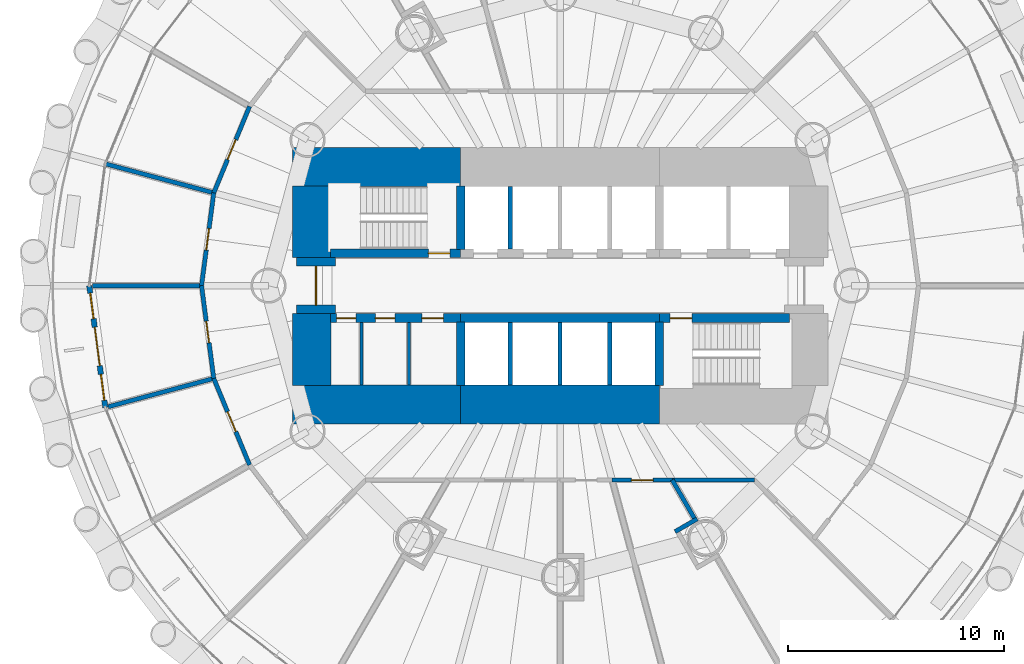
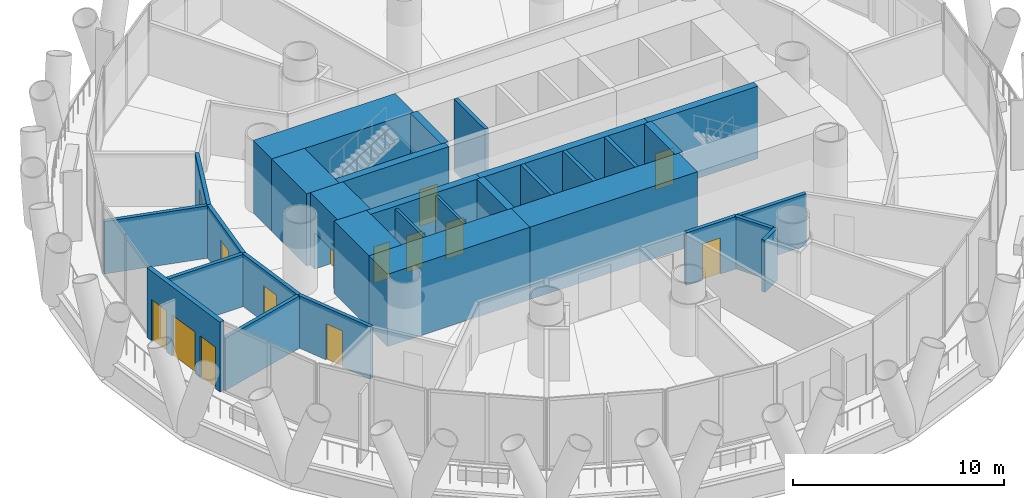
# One storey, part 10 of 16: 31 walls, 12 doors, 2 windows, 14 openings.
"""IFC4 building model written with IfcOpenShell, lengths in metres."""

from ifc_helpers import new_model, si_unit, direction, frame, frame_2d, origin, place, context, subcontext, project, spatial, rectangle, extrude, material, layer, layer_set, type_object, element, fill, save


model = new_model("IFC4")

# Units and contexts
model_context = context("Model", 3, precision=1e-05, world=origin(), true_north=direction((0.0, 1.0)))
body_context = subcontext(model_context, "Body", "Model", "MODEL_VIEW")
ifc_project = project(units=[si_unit("LENGTHUNIT", "METRE"), si_unit("AREAUNIT", "SQUARE_METRE"), si_unit("VOLUMEUNIT", "CUBIC_METRE"), si_unit("PLANEANGLEUNIT", "RADIAN"), si_unit("MASSUNIT", "GRAM", prefix="KILO")], contexts=[model_context])

# Site, building, storey
site_placement = place(None, origin())
site = spatial("IfcSite", under=ifc_project, at=site_placement, CompositionType="ELEMENT")
building_placement = place(site_placement, origin())
building = spatial("IfcBuilding", under=site, at=building_placement, Name="Qaws Media Tower", CompositionType="ELEMENT")
storey_placement = place(building_placement, frame((0.0, 0.0, 42.800048828125)))
storey = spatial("IfcBuildingStorey", under=building, at=storey_placement, Name="L08", CompositionType="ELEMENT", Elevation=42.800048828125)

# Wall, openings, door, windows
ifc_material_1 = material(Name="Precast concrete, exposed finish", Category="concrete")
ifc_layer_1 = layer(ifc_material_1, 0.25)
ifc_layer_set_1 = layer_set([ifc_layer_1], Name="Balcony door wall 250")
wall_type_1 = type_object("IfcWallType", Name="Balcony door wall 250", PredefinedType="SOLIDWALL", material=ifc_layer_set_1)
wall_1_placement = place(storey_placement, frame((38.199951171875, 50.0, 0.0), z_axis=(0.0, 0.0, 1.0), x_axis=(0.130542179395, -0.991442756491, 0.0)))
wall_1 = element("IfcWall", 1, at=wall_1_placement, inside=storey, type_object=wall_type_1, Name="W121 EW1 balcony door wall L08-13", PredefinedType="SOLIDWALL", context=body_context, shape_type="SweptSolid", body=[
    extrude(rectangle(XDim=5.69091796875, YDim=0.25, at=frame_2d((2.845458984375, 0.0))), origin(), (0.0, 0.0, 1.0), 4.0400390625),
])
opening_1_placement = place(wall_1_placement, frame((1.945556640625, 0.0, 0.0)))
opening_1 = element("IfcOpeningElement", 2, at=opening_1_placement, cuts=wall_1, Name="Opening D7", PredefinedType="OPENING", context=body_context, shape_type="SweptSolid", body=[
    extrude(rectangle(XDim=1.800048828125, YDim=2.39990234375, at=frame_2d((0.89990234375, 1.199951171875))), frame((0.0, 0.135009765625, 0.0), z_axis=(0.0, -1.0, 0.0), x_axis=(1.0, 0.0, 0.0)), (0.0, 0.0, 1.0), 0.27001953125),
])
opening_2_placement = place(wall_1_placement, frame((0.345458984375, 0.0, 0.0)))
opening_2 = element("IfcOpeningElement", 3, at=opening_2_placement, cuts=wall_1, Name="Opening W1", PredefinedType="OPENING", context=body_context, shape_type="SweptSolid", body=[
    extrude(rectangle(XDim=1.199951171875, YDim=2.39990234375, at=frame_2d((0.60009765625, 1.199951171875))), frame((0.0, 0.135009765625, 0.0), z_axis=(0.0, -1.0, 0.0), x_axis=(1.0, 0.0, 0.0)), (0.0, 0.0, 1.0), 0.27001953125),
])
opening_3_placement = place(wall_1_placement, frame((4.1455078125, 0.0, 0.0)))
opening_3 = element("IfcOpeningElement", 4, at=opening_3_placement, cuts=wall_1, Name="Opening W1", PredefinedType="OPENING", context=body_context, shape_type="SweptSolid", body=[
    extrude(rectangle(XDim=1.199951171875, YDim=2.39990234375, at=frame_2d((0.60009765625, 1.199951171875))), frame((0.0, 0.135009765625, 0.0), z_axis=(0.0, -1.0, 0.0), x_axis=(1.0, 0.0, 0.0)), (0.0, 0.0, 1.0), 0.27001953125),
])
ifc_material_2 = material(Name="Aluminium and clear glass", Category="aluminium")
door_type_1 = type_object("IfcDoorType", Name="Balcony door pair 1800", OperationType="DOUBLE_DOOR_SLIDING", PredefinedType="DOOR", material=ifc_material_2)
door_1_placement = place(opening_1_placement, origin())
door_1 = element("IfcDoor", 5, at=door_1_placement, inside=storey, type_object=door_type_1, Name="D7 balcony door L08-13 in wall W121", OperationType="DOUBLE_DOOR_SLIDING", OverallHeight=2.39990234375, OverallWidth=1.800048828125, PredefinedType="DOOR", context=body_context, shape_type="SweptSolid", body=[
    extrude(rectangle(XDim=1.800048828125, YDim=2.39990234375, at=frame_2d((0.89990234375, 1.199951171875))), frame((0.0, 0.02490234375, 0.0), z_axis=(0.0, -1.0, 0.0), x_axis=(1.0, 0.0, 0.0)), (0.0, 0.0, 1.0), 0.050048828125),
])
fill(opening_1, door_1)
ifc_material_3 = material(Name="Aluminium and clear glass", Category="aluminium")
window_type = type_object("IfcWindowType", Name="Balcony side window 1200", PartitioningType="SINGLE_PANEL", PredefinedType="WINDOW", material=ifc_material_3)
window_1_placement = place(opening_2_placement, origin())
window_1 = element("IfcWindow", 6, at=window_1_placement, inside=storey, type_object=window_type, Name="W1 balcony side light L08-13L", OverallHeight=2.39990234375, OverallWidth=1.199951171875, PartitioningType="SINGLE_PANEL", PredefinedType="WINDOW", context=body_context, shape_type="SweptSolid", body=[
    extrude(rectangle(XDim=1.199951171875, YDim=2.39990234375, at=frame_2d((0.60009765625, 1.199951171875))), frame((0.0, 0.030029296875, 0.0), z_axis=(0.0, -1.0, 0.0), x_axis=(1.0, 0.0, 0.0)), (0.0, 0.0, 1.0), 0.06005859375),
])
fill(opening_2, window_1)
window_2_placement = place(opening_3_placement, origin())
window_2 = element("IfcWindow", 7, at=window_2_placement, inside=storey, type_object=window_type, Name="W1 balcony side light L08-13R", OverallHeight=2.39990234375, OverallWidth=1.199951171875, PartitioningType="SINGLE_PANEL", PredefinedType="WINDOW", context=body_context, shape_type="SweptSolid", body=[
    extrude(rectangle(XDim=1.199951171875, YDim=2.39990234375, at=frame_2d((0.60009765625, 1.199951171875))), frame((0.0, 0.030029296875, 0.0), z_axis=(0.0, -1.0, 0.0), x_axis=(1.0, 0.0, 0.0)), (0.0, 0.0, 1.0), 0.06005859375),
])
fill(opening_3, window_2)

# Wall, opening, door
ifc_material_4 = material(Name="Concrete C60/75", Category="concrete")
ifc_layer_2 = layer(ifc_material_4, 0.39990234375)
ifc_layer_set_2 = layer_set([ifc_layer_2], Name="Core inner wall 400")
wall_type_2 = type_object("IfcWallType", Name="Core inner wall 400", PredefinedType="SHEAR", material=ifc_layer_set_2)
wall_2_placement = place(storey_placement, frame((49.3798828125, 51.5, 0.0), z_axis=(0.0, 0.0, 1.0), x_axis=(1.0, 0.0, 0.0)))
wall_2 = element("IfcWall", 8, at=wall_2_placement, inside=storey, type_object=wall_type_2, Name="W311 SW4 core wall SPNW L08", PredefinedType="SHEAR", context=body_context, shape_type="SweptSolid", body=[
    extrude(rectangle(XDim=6.02001953125, YDim=0.39990234375, at=frame_2d((3.010009765625, 0.0))), origin(), (0.0, 0.0, 1.0), 4.199951171875),
])
opening_4_placement = place(wall_2_placement, frame((4.52001953125, 0.0, 0.0)))
opening_4 = element("IfcOpeningElement", 9, at=opening_4_placement, cuts=wall_2, Name="Opening D1", PredefinedType="OPENING", context=body_context, shape_type="SweptSolid", body=[
    extrude(rectangle(XDim=1.0, YDim=2.10009765625, at=frame_2d((0.5, 1.050048828125))), frame((0.0, 0.2099609375, 0.0), z_axis=(0.0, -1.0, 0.0), x_axis=(1.0, 0.0, 0.0)), (0.0, 0.0, 1.0), 0.419921875),
])
ifc_material_5 = material(Name="Steel, fire rated", Category="steel")
door_type_2 = type_object("IfcDoorType", Name="Stair door 1000 FD120", OperationType="SINGLE_SWING_LEFT", PredefinedType="DOOR", material=ifc_material_5)
door_2_placement = place(opening_4_placement, origin())
door_2 = element("IfcDoor", 10, at=door_2_placement, inside=storey, type_object=door_type_2, Name="D1 stair S1 door L08 in wall W311", OperationType="SINGLE_SWING_LEFT", OverallHeight=2.10009765625, OverallWidth=1.0, PredefinedType="DOOR", context=body_context, shape_type="SweptSolid", body=[
    extrude(rectangle(XDim=1.0, YDim=2.10009765625, at=frame_2d((0.5, 1.050048828125))), frame((0.0, 0.02490234375, 0.0), z_axis=(0.0, -1.0, 0.0), x_axis=(1.0, 0.0, 0.0)), (0.0, 0.0, 1.0), 0.050048828125),
])
fill(opening_4, door_2)

# Wall, openings, doors
wall_3_placement = place(storey_placement, frame((49.3798828125, 48.5, 0.0), z_axis=(0.0, 0.0, 1.0), x_axis=(1.0, 0.0, 0.0)))
wall_3 = element("IfcWall", 11, at=wall_3_placement, inside=storey, type_object=wall_type_2, Name="W310 SW4 core wall SPSW L08", PredefinedType="SHEAR", context=body_context, shape_type="SweptSolid", body=[
    extrude(rectangle(XDim=6.02001953125, YDim=0.39990234375, at=frame_2d((3.010009765625, 0.0))), origin(), (0.0, 0.0, 1.0), 4.199951171875),
])
opening_5_placement = place(wall_3_placement, frame((0.27001953125, 0.0, 0.0)))
opening_5 = element("IfcOpeningElement", 12, at=opening_5_placement, cuts=wall_3, Name="Opening D25", PredefinedType="OPENING", context=body_context, shape_type="SweptSolid", body=[
    extrude(rectangle(XDim=0.89990234375, YDim=2.10009765625, at=frame_2d((0.449951171875, 1.050048828125))), frame((0.0, 0.2099609375, 0.0), z_axis=(0.0, -1.0, 0.0), x_axis=(1.0, 0.0, 0.0)), (0.0, 0.0, 1.0), 0.419921875),
])
opening_6_placement = place(wall_3_placement, frame((2.070068359375, 0.0, 0.0)))
opening_6 = element("IfcOpeningElement", 13, at=opening_6_placement, cuts=wall_3, Name="Opening D25", PredefinedType="OPENING", context=body_context, shape_type="SweptSolid", body=[
    extrude(rectangle(XDim=0.89990234375, YDim=2.10009765625, at=frame_2d((0.449951171875, 1.050048828125))), frame((0.0, 0.2099609375, 0.0), z_axis=(0.0, -1.0, 0.0), x_axis=(1.0, 0.0, 0.0)), (0.0, 0.0, 1.0), 0.419921875),
])
opening_7_placement = place(wall_3_placement, frame((4.219970703125, 0.0, 0.0)))
opening_7 = element("IfcOpeningElement", 14, at=opening_7_placement, cuts=wall_3, Name="Opening D4", PredefinedType="OPENING", context=body_context, shape_type="SweptSolid", body=[
    extrude(rectangle(XDim=1.0, YDim=2.10009765625, at=frame_2d((0.5, 1.050048828125))), frame((0.0, 0.2099609375, 0.0), z_axis=(0.0, -1.0, 0.0), x_axis=(1.0, 0.0, 0.0)), (0.0, 0.0, 1.0), 0.419921875),
])
ifc_material_6 = material(Name="Timber veneered", Category="wood")
door_type_3 = type_object("IfcDoorType", Name="Accessible WC door 1000", OperationType="SLIDING_TO_LEFT", PredefinedType="DOOR", material=ifc_material_6)
door_3_placement = place(opening_7_placement, origin())
door_3 = element("IfcDoor", 15, at=door_3_placement, inside=storey, type_object=door_type_3, Name="D4 toilet door 3 L08 in wall W310", OperationType="SLIDING_TO_LEFT", OverallHeight=2.10009765625, OverallWidth=1.0, PredefinedType="DOOR", context=body_context, shape_type="SweptSolid", body=[
    extrude(rectangle(XDim=1.0, YDim=2.10009765625, at=frame_2d((0.5, 1.050048828125))), frame((0.0, 0.02490234375, 0.0), z_axis=(0.0, -1.0, 0.0), x_axis=(1.0, 0.0, 0.0)), (0.0, 0.0, 1.0), 0.050048828125),
])
fill(opening_7, door_3)
ifc_material_7 = material(Name="Steel, fire rated", Category="steel")
door_type_4 = type_object("IfcDoorType", Name="Core service door 900", OperationType="SINGLE_SWING_RIGHT", PredefinedType="DOOR", material=ifc_material_7)
door_4_placement = place(opening_5_placement, origin())
door_4 = element("IfcDoor", 16, at=door_4_placement, inside=storey, type_object=door_type_4, Name="D25 toilet door 1 L08 in wall W310", OperationType="SINGLE_SWING_RIGHT", OverallHeight=2.10009765625, OverallWidth=0.89990234375, PredefinedType="DOOR", context=body_context, shape_type="SweptSolid", body=[
    extrude(rectangle(XDim=0.89990234375, YDim=2.10009765625, at=frame_2d((0.449951171875, 1.050048828125))), frame((0.0, 0.02490234375, 0.0), z_axis=(0.0, -1.0, 0.0), x_axis=(1.0, 0.0, 0.0)), (0.0, 0.0, 1.0), 0.050048828125),
])
fill(opening_5, door_4)
door_5_placement = place(opening_6_placement, origin())
door_5 = element("IfcDoor", 17, at=door_5_placement, inside=storey, type_object=door_type_4, Name="D25 toilet door 2 L08 in wall W310", OperationType="SINGLE_SWING_RIGHT", OverallHeight=2.10009765625, OverallWidth=0.89990234375, PredefinedType="DOOR", context=body_context, shape_type="SweptSolid", body=[
    extrude(rectangle(XDim=0.89990234375, YDim=2.10009765625, at=frame_2d((0.449951171875, 1.050048828125))), frame((0.0, 0.02490234375, 0.0), z_axis=(0.0, -1.0, 0.0), x_axis=(1.0, 0.0, 0.0)), (0.0, 0.0, 1.0), 0.050048828125),
])
fill(opening_6, door_5)

# Wall
wall_4_placement = place(storey_placement, frame((55.39990234375, 48.5, 0.0), z_axis=(0.0, 0.0, 1.0), x_axis=(1.0, 0.0, 0.0)))
element("IfcWall", 18, at=wall_4_placement, inside=storey, type_object=wall_type_2, Name="W313 SW4 core wall SPS L08", PredefinedType="SHEAR", context=body_context, shape_type="SweptSolid", body=[
    extrude(rectangle(XDim=9.2001953125, YDim=0.39990234375, at=frame_2d((4.60009765625, 0.0))), origin(), (0.0, 0.0, 1.0), 4.199951171875),
])

# Wall, opening, door
wall_5_placement = place(storey_placement, frame((64.60009765625, 48.5, 0.0), z_axis=(0.0, 0.0, 1.0), x_axis=(1.0, 0.0, 0.0)))
wall_5 = element("IfcWall", 19, at=wall_5_placement, inside=storey, type_object=wall_type_2, Name="W317 SW4 core wall SPSE L08", PredefinedType="SHEAR", context=body_context, shape_type="SweptSolid", body=[
    extrude(rectangle(XDim=6.02001953125, YDim=0.39990234375, at=frame_2d((3.010009765625, 0.0))), origin(), (0.0, 0.0, 1.0), 4.199951171875),
])
opening_8_placement = place(wall_5_placement, frame((0.5, 0.0, 0.0)))
opening_8 = element("IfcOpeningElement", 20, at=opening_8_placement, cuts=wall_5, Name="Opening D1", PredefinedType="OPENING", context=body_context, shape_type="SweptSolid", body=[
    extrude(rectangle(XDim=1.0, YDim=2.10009765625, at=frame_2d((0.5, 1.050048828125))), frame((0.0, 0.2099609375, 0.0), z_axis=(0.0, -1.0, 0.0), x_axis=(1.0, 0.0, 0.0)), (0.0, 0.0, 1.0), 0.419921875),
])
door_6_placement = place(opening_8_placement, origin())
door_6 = element("IfcDoor", 21, at=door_6_placement, inside=storey, type_object=door_type_2, Name="D1 stair S2 door L08 in wall W317", OperationType="SINGLE_SWING_LEFT", OverallHeight=2.10009765625, OverallWidth=1.0, PredefinedType="DOOR", context=body_context, shape_type="SweptSolid", body=[
    extrude(rectangle(XDim=1.0, YDim=2.10009765625, at=frame_2d((0.5, 1.050048828125))), frame((0.0, 0.02490234375, 0.0), z_axis=(0.0, -1.0, 0.0), x_axis=(1.0, 0.0, 0.0)), (0.0, 0.0, 1.0), 0.050048828125),
])
fill(opening_8, door_6)

# Walls
for number, where, z_axis, x_axis, name in (
    (22, (55.39990234375, 51.679931640625, 0.0), (0.0, 0.0, 1.0), (0.0, 1.0, 0.0), "W315 SW4 core wall XNW L08"),
    (23, (55.39990234375, 48.320068359375, 0.0), (0.0, 0.0, 1.0), (0.0, -1.0, 0.0), "W312 SW4 core wall XSW L08"),
    (24, (64.60009765625, 48.320068359375, 0.0), (0.0, 0.0, 1.0), (0.0, -1.0, 0.0), "W316 SW4 core wall XSE L08"),
):
    element("IfcWall", number, at=place(storey_placement, frame(where, z_axis=z_axis, x_axis=x_axis)), inside=storey, type_object=wall_type_2, Name=name, PredefinedType="SHEAR", context=body_context, shape_type="SweptSolid", body=[
        extrude(rectangle(XDim=2.940185546875, YDim=0.39990234375, at=frame_2d((1.47021484375, 0.0))), origin(), (0.0, 0.0, 1.0), 4.199951171875),
    ])
ifc_material_8 = material(Name="Concrete C60/75", Category="concrete")
ifc_layer_3 = layer(ifc_material_8, 1.800048828125)
ifc_layer_set_3 = layer_set([ifc_layer_3], Name="Core wall 1800")
wall_type_3 = type_object("IfcWallType", Name="Core wall 1800", PredefinedType="SHEAR", material=ifc_layer_set_3)
for number, where, z_axis, x_axis, name in (
    (25, (47.60009765625, 55.5, 0.0), (0.0, 0.0, 1.0), (1.0, 0.0, 0.0), "W399 SW11 core wall NW L08"),
    (26, (47.60009765625, 44.5, 0.0), (0.0, 0.0, 1.0), (1.0, 0.0, 0.0), "W398 SW11 core wall SW L08"),
):
    element("IfcWall", number, at=place(storey_placement, frame(where, z_axis=z_axis, x_axis=x_axis)), inside=storey, type_object=wall_type_3, Name=name, PredefinedType="SHEAR", context=body_context, shape_type="SweptSolid", body=[
        extrude(rectangle(XDim=7.7998046875, YDim=1.800048828125, at=frame_2d((3.89990234375, 0.0))), origin(), (0.0, 0.0, 1.0), 4.199951171875),
    ])
wall_6_placement = place(storey_placement, frame((55.39990234375, 44.5, 0.0), z_axis=(0.0, 0.0, 1.0), x_axis=(1.0, 0.0, 0.0)))
element("IfcWall", 27, at=wall_6_placement, inside=storey, type_object=wall_type_3, Name="W403 SW11 core wall S L08", PredefinedType="SHEAR", context=body_context, shape_type="SweptSolid", body=[
    extrude(rectangle(XDim=9.2001953125, YDim=1.800048828125, at=frame_2d((4.60009765625, 0.0))), origin(), (0.0, 0.0, 1.0), 4.199951171875),
])
wall_7_placement = place(storey_placement, frame((48.5, 45.3798828125, 0.0), z_axis=(0.0, 0.0, 1.0), x_axis=(0.0, 1.0, 0.0)))
element("IfcWall", 28, at=wall_7_placement, inside=storey, type_object=wall_type_3, Name="W410 SW11 core wall WS L08", PredefinedType="SHEAR", context=body_context, shape_type="SweptSolid", body=[
    extrude(rectangle(XDim=3.320068359375, YDim=1.800048828125, at=frame_2d((1.66015625, 0.0))), origin(), (0.0, 0.0, 1.0), 4.199951171875),
])

# Wall, opening, door
wall_8_placement = place(storey_placement, frame((48.699951171875, 48.699951171875, 0.0), z_axis=(0.0, 0.0, 1.0), x_axis=(0.0, 1.0, 0.0)))
wall_8 = element("IfcWall", 29, at=wall_8_placement, inside=storey, type_object=wall_type_3, Name="W412 SW11 core wall W L08", PredefinedType="SHEAR", context=body_context, shape_type="SweptSolid", body=[
    extrude(rectangle(XDim=2.60009765625, YDim=1.800048828125, at=frame_2d((1.300048828125, 0.0))), origin(), (0.0, 0.0, 1.0), 4.199951171875),
])
opening_9_placement = place(wall_8_placement, frame((0.39990234375, 0.0, 0.0)))
opening_9 = element("IfcOpeningElement", 30, at=opening_9_placement, cuts=wall_8, Name="Opening D2", PredefinedType="OPENING", context=body_context, shape_type="SweptSolid", body=[
    extrude(rectangle(XDim=1.800048828125, YDim=2.10009765625, at=frame_2d((0.89990234375, 1.050048828125))), frame((0.0, 0.909912109375, 0.0), z_axis=(0.0, -1.0, 0.0), x_axis=(1.0, 0.0, 0.0)), (0.0, 0.0, 1.0), 1.820068359375),
])
ifc_material_9 = material(Name="Steel and glass, fire rated", Category="steel")
door_type_5 = type_object("IfcDoorType", Name="Lobby door pair 1800 FD60", OperationType="DOUBLE_DOOR_DOUBLE_SWING", PredefinedType="DOOR", material=ifc_material_9)
door_7_placement = place(opening_9_placement, origin())
door_7 = element("IfcDoor", 31, at=door_7_placement, inside=storey, type_object=door_type_5, Name="D2 core lobby door W L08 in wall W412", OperationType="DOUBLE_DOOR_DOUBLE_SWING", OverallHeight=2.10009765625, OverallWidth=1.800048828125, PredefinedType="DOOR", context=body_context, shape_type="SweptSolid", body=[
    extrude(rectangle(XDim=1.800048828125, YDim=2.10009765625, at=frame_2d((0.89990234375, 1.050048828125))), frame((0.0, 0.02490234375, 0.0), z_axis=(0.0, -1.0, 0.0), x_axis=(1.0, 0.0, 0.0)), (0.0, 0.0, 1.0), 0.050048828125),
])
fill(opening_9, door_7)

# Wall
wall_9_placement = place(storey_placement, frame((48.5, 51.300048828125, 0.0), z_axis=(0.0, 0.0, 1.0), x_axis=(0.0, 1.0, 0.0)))
element("IfcWall", 32, at=wall_9_placement, inside=storey, type_object=wall_type_3, Name="W411 SW11 core wall WN L08", PredefinedType="SHEAR", context=body_context, shape_type="SweptSolid", body=[
    extrude(rectangle(XDim=3.320068359375, YDim=1.800048828125, at=frame_2d((1.66015625, 0.0))), origin(), (0.0, 0.0, 1.0), 4.199951171875),
])

# Wall, opening, door
ifc_material_10 = material(Name="Gypsum board on galvanised metal studs, acoustic double stud, deflection head", Category="gypsum")
ifc_layer_4 = layer(ifc_material_10, 0.199951171875)
ifc_layer_set_4 = layer_set([ifc_layer_4], Name="Room partition 200")
wall_type_4 = type_object("IfcWallType", Name="Room partition 200", PredefinedType="PARTITIONING", material=ifc_layer_set_4)
wall_10_placement = place(storey_placement, frame((45.6240234375, 41.699951171875, 0.0), z_axis=(0.0, 0.0, 1.0), x_axis=(-0.382698425325, 0.923873322082, 0.0)))
wall_10 = element("IfcWall", 33, at=wall_10_placement, inside=storey, type_object=wall_type_4, Name="W991 IW3 partition L08", PredefinedType="PARTITIONING", context=body_context, shape_type="SweptSolid", body=[
    extrude(rectangle(XDim=4.33349609375, YDim=0.199951171875, at=frame_2d((2.166748046875, 0.0))), origin(), (0.0, 0.0, 1.0), 3.0400390625),
])
opening_10_placement = place(wall_10_placement, frame((1.666748046875, 0.0, 0.0)))
opening_10 = element("IfcOpeningElement", 34, at=opening_10_placement, cuts=wall_10, Name="Opening D5", PredefinedType="OPENING", context=body_context, shape_type="SweptSolid", body=[
    extrude(rectangle(XDim=1.0, YDim=2.10009765625, at=frame_2d((0.5, 1.050048828125))), frame((0.0, 0.10986328125, 0.0), z_axis=(0.0, -1.0, 0.0), x_axis=(1.0, 0.0, 0.0)), (0.0, 0.0, 1.0), 0.219970703125),
])
ifc_material_11 = material(Name="Timber veneered, acoustic seal", Category="wood")
door_type_6 = type_object("IfcDoorType", Name="Room door 1000", OperationType="SINGLE_SWING_LEFT", PredefinedType="DOOR", material=ifc_material_11)
door_8_placement = place(opening_10_placement, origin())
door_8 = element("IfcDoor", 35, at=door_8_placement, inside=storey, type_object=door_type_6, Name="D5 Edit room door L08 in wall W991", OperationType="SINGLE_SWING_LEFT", OverallHeight=2.10009765625, OverallWidth=1.0, PredefinedType="DOOR", context=body_context, shape_type="SweptSolid", body=[
    extrude(rectangle(XDim=1.0, YDim=2.10009765625, at=frame_2d((0.5, 1.050048828125))), frame((0.0, 0.02490234375, 0.0), z_axis=(0.0, -1.0, 0.0), x_axis=(1.0, 0.0, 0.0)), (0.0, 0.0, 1.0), 0.050048828125),
])
fill(opening_10, door_8)

wall_11_placement = place(storey_placement, frame((43.965576171875, 45.70361328125, 0.0), z_axis=(0.0, 0.0, 1.0), x_axis=(-0.130536124221, 0.99144355375, 0.0)))
wall_11 = element("IfcWall", 36, at=wall_11_placement, inside=storey, type_object=wall_type_4, Name="W987 IW3 partition L08", PredefinedType="PARTITIONING", context=body_context, shape_type="SweptSolid", body=[
    extrude(rectangle(XDim=4.33349609375, YDim=0.199951171875, at=frame_2d((2.166748046875, 0.0))), origin(), (0.0, 0.0, 1.0), 3.0400390625),
])
opening_11_placement = place(wall_11_placement, frame((1.666748046875, 0.0, 0.0)))
opening_11 = element("IfcOpeningElement", 37, at=opening_11_placement, cuts=wall_11, Name="Opening D5", PredefinedType="OPENING", context=body_context, shape_type="SweptSolid", body=[
    extrude(rectangle(XDim=1.0, YDim=2.10009765625, at=frame_2d((0.5, 1.050048828125))), frame((0.0, 0.10986328125, 0.0), z_axis=(0.0, -1.0, 0.0), x_axis=(1.0, 0.0, 0.0)), (0.0, 0.0, 1.0), 0.219970703125),
])
door_9_placement = place(opening_11_placement, origin())
door_9 = element("IfcDoor", 38, at=door_9_placement, inside=storey, type_object=door_type_6, Name="D5 Edit room door L08 in wall W987", OperationType="SINGLE_SWING_LEFT", OverallHeight=2.10009765625, OverallWidth=1.0, PredefinedType="DOOR", context=body_context, shape_type="SweptSolid", body=[
    extrude(rectangle(XDim=1.0, YDim=2.10009765625, at=frame_2d((0.5, 1.050048828125))), frame((0.0, 0.02490234375, 0.0), z_axis=(0.0, -1.0, 0.0), x_axis=(1.0, 0.0, 0.0)), (0.0, 0.0, 1.0), 0.050048828125),
])
fill(opening_11, door_9)

wall_12_placement = place(storey_placement, frame((43.39990234375, 50.0, 0.0), z_axis=(0.0, 0.0, 1.0), x_axis=(0.130536124221, 0.99144355375, 0.0)))
wall_12 = element("IfcWall", 39, at=wall_12_placement, inside=storey, type_object=wall_type_4, Name="W985 IW3 partition L08", PredefinedType="PARTITIONING", context=body_context, shape_type="SweptSolid", body=[
    extrude(rectangle(XDim=4.33349609375, YDim=0.199951171875, at=frame_2d((2.166748046875, 0.0))), origin(), (0.0, 0.0, 1.0), 3.0400390625),
])
opening_12_placement = place(wall_12_placement, frame((1.666748046875, 0.0, 0.0)))
opening_12 = element("IfcOpeningElement", 40, at=opening_12_placement, cuts=wall_12, Name="Opening D5", PredefinedType="OPENING", context=body_context, shape_type="SweptSolid", body=[
    extrude(rectangle(XDim=1.0, YDim=2.10009765625, at=frame_2d((0.5, 1.050048828125))), frame((0.0, 0.10986328125, 0.0), z_axis=(0.0, -1.0, 0.0), x_axis=(1.0, 0.0, 0.0)), (0.0, 0.0, 1.0), 0.219970703125),
])
door_10_placement = place(opening_12_placement, origin())
door_10 = element("IfcDoor", 41, at=door_10_placement, inside=storey, type_object=door_type_6, Name="D5 Edit room door L08 in wall W985", OperationType="SINGLE_SWING_LEFT", OverallHeight=2.10009765625, OverallWidth=1.0, PredefinedType="DOOR", context=body_context, shape_type="SweptSolid", body=[
    extrude(rectangle(XDim=1.0, YDim=2.10009765625, at=frame_2d((0.5, 1.050048828125))), frame((0.0, 0.02490234375, 0.0), z_axis=(0.0, -1.0, 0.0), x_axis=(1.0, 0.0, 0.0)), (0.0, 0.0, 1.0), 0.050048828125),
])
fill(opening_12, door_10)

wall_13_placement = place(storey_placement, frame((43.965576171875, 54.29638671875, 0.0), z_axis=(0.0, 0.0, 1.0), x_axis=(0.382698425325, 0.923873322082, 0.0)))
wall_13 = element("IfcWall", 42, at=wall_13_placement, inside=storey, type_object=wall_type_4, Name="W989 IW3 partition L08", PredefinedType="PARTITIONING", context=body_context, shape_type="SweptSolid", body=[
    extrude(rectangle(XDim=4.33349609375, YDim=0.199951171875, at=frame_2d((2.166748046875, 0.0))), origin(), (0.0, 0.0, 1.0), 3.0400390625),
])
opening_13_placement = place(wall_13_placement, frame((1.666748046875, 0.0, 0.0)))
opening_13 = element("IfcOpeningElement", 43, at=opening_13_placement, cuts=wall_13, Name="Opening D5", PredefinedType="OPENING", context=body_context, shape_type="SweptSolid", body=[
    extrude(rectangle(XDim=1.0, YDim=2.10009765625, at=frame_2d((0.5, 1.050048828125))), frame((0.0, 0.10986328125, 0.0), z_axis=(0.0, -1.0, 0.0), x_axis=(1.0, 0.0, 0.0)), (0.0, 0.0, 1.0), 0.219970703125),
])
door_11_placement = place(opening_13_placement, origin())
door_11 = element("IfcDoor", 44, at=door_11_placement, inside=storey, type_object=door_type_6, Name="D5 Edit room door L08 in wall W989", OperationType="SINGLE_SWING_LEFT", OverallHeight=2.10009765625, OverallWidth=1.0, PredefinedType="DOOR", context=body_context, shape_type="SweptSolid", body=[
    extrude(rectangle(XDim=1.0, YDim=2.10009765625, at=frame_2d((0.5, 1.050048828125))), frame((0.0, 0.02490234375, 0.0), z_axis=(0.0, -1.0, 0.0), x_axis=(1.0, 0.0, 0.0)), (0.0, 0.0, 1.0), 0.050048828125),
])
fill(opening_13, door_11)

# Wall
wall_14_placement = place(storey_placement, frame((69.0, 41.0, 0.0), z_axis=(0.0, 0.0, 1.0), x_axis=(-1.0, 0.0, 0.0)))
element("IfcWall", 45, at=wall_14_placement, inside=storey, type_object=wall_type_4, Name="W1009 IW3 partition L08", PredefinedType="PARTITIONING", context=body_context, shape_type="SweptSolid", body=[
    extrude(rectangle(XDim=3.8037109375, YDim=0.199951171875, at=frame_2d((1.90185546875, 0.0))), origin(), (0.0, 0.0, 1.0), 3.02001953125),
])

# Wall, opening, door
wall_15_placement = place(storey_placement, frame((65.1962890625, 41.0, 0.0), z_axis=(0.0, 0.0, 1.0), x_axis=(-1.0, 0.0, 0.0)))
wall_15 = element("IfcWall", 46, at=wall_15_placement, inside=storey, type_object=wall_type_4, Name="W1004 IW3 partition L08", PredefinedType="PARTITIONING", context=body_context, shape_type="SweptSolid", body=[
    extrude(rectangle(XDim=2.78466796875, YDim=0.199951171875, at=frame_2d((1.392333984375, 0.0))), origin(), (0.0, 0.0, 1.0), 3.0400390625),
])
opening_14_placement = place(wall_15_placement, frame((0.892333984375, 0.0, 0.0)))
opening_14 = element("IfcOpeningElement", 47, at=opening_14_placement, cuts=wall_15, Name="Opening D5", PredefinedType="OPENING", context=body_context, shape_type="SweptSolid", body=[
    extrude(rectangle(XDim=1.0, YDim=2.10009765625, at=frame_2d((0.5, 1.050048828125))), frame((0.0, 0.10986328125, 0.0), z_axis=(0.0, -1.0, 0.0), x_axis=(1.0, 0.0, 0.0)), (0.0, 0.0, 1.0), 0.219970703125),
])
door_12_placement = place(opening_14_placement, origin())
door_12 = element("IfcDoor", 48, at=door_12_placement, inside=storey, type_object=door_type_6, Name="D5 Gents toilets door L08 in wall W1004", OperationType="SINGLE_SWING_LEFT", OverallHeight=2.10009765625, OverallWidth=1.0, PredefinedType="DOOR", context=body_context, shape_type="SweptSolid", body=[
    extrude(rectangle(XDim=1.0, YDim=2.10009765625, at=frame_2d((0.5, 1.050048828125))), frame((0.0, 0.02490234375, 0.0), z_axis=(0.0, -1.0, 0.0), x_axis=(1.0, 0.0, 0.0)), (0.0, 0.0, 1.0), 0.050048828125),
])
fill(opening_14, door_12)

# Walls
wall_16_placement = place(storey_placement, frame((43.965576171875, 54.29638671875, 0.0), z_axis=(0.0, 0.0, 1.0), x_axis=(-0.965927988102, 0.258810976974, 0.0)))
element("IfcWall", 49, at=wall_16_placement, inside=storey, type_object=wall_type_4, Name="W988 IW3 partition L08", PredefinedType="PARTITIONING", context=body_context, shape_type="SweptSolid", body=[
    extrude(rectangle(XDim=5.159912109375, YDim=0.199951171875, at=frame_2d((2.580078125, 0.0))), origin(), (0.0, 0.0, 1.0), 3.0400390625),
])
wall_17_placement = place(storey_placement, frame((43.39990234375, 50.0, 0.0), z_axis=(0.0, 0.0, 1.0), x_axis=(-1.0, 0.0, 0.0)))
element("IfcWall", 50, at=wall_17_placement, inside=storey, type_object=wall_type_4, Name="W984 IW3 partition L08", PredefinedType="PARTITIONING", context=body_context, shape_type="SweptSolid", body=[
    extrude(rectangle(XDim=5.059814453125, YDim=0.199951171875, at=frame_2d((2.52978515625, 0.0))), origin(), (0.0, 0.0, 1.0), 3.0400390625),
])
wall_18_placement = place(storey_placement, frame((43.965576171875, 45.70361328125, 0.0), z_axis=(0.0, 0.0, 1.0), x_axis=(-0.965929961432, -0.258803612044, 0.0)))
element("IfcWall", 51, at=wall_18_placement, inside=storey, type_object=wall_type_4, Name="W986 IW3 partition L08", PredefinedType="PARTITIONING", context=body_context, shape_type="SweptSolid", body=[
    extrude(rectangle(XDim=5.06005859375, YDim=0.199951171875, at=frame_2d((2.530029296875, 0.0))), origin(), (0.0, 0.0, 1.0), 3.0400390625),
])
wall_19_placement = place(storey_placement, frame((66.35009765625, 39.201416015625, 0.0), z_axis=(0.0, 0.0, 1.0), x_axis=(-0.865986234303, -0.500067837396, 0.0)))
element("IfcWall", 52, at=wall_19_placement, inside=storey, type_object=wall_type_4, Name="W1006 IW3 partition return L08", PredefinedType="PARTITIONING", context=body_context, shape_type="SweptSolid", body=[
    extrude(rectangle(XDim=1.182861328125, YDim=0.199951171875, at=frame_2d((0.59130859375, 0.0))), origin(), (0.0, 0.0, 1.0), 3.02001953125),
])
wall_20_placement = place(storey_placement, frame((65.18994140625, 41.0107421875, 0.0), z_axis=(0.0, 0.0, 1.0), x_axis=(0.499935808259, -0.866062461731, 0.0)))
element("IfcWall", 53, at=wall_20_placement, inside=storey, type_object=wall_type_4, Name="W1003 IW3 partition L08", PredefinedType="PARTITIONING", context=body_context, shape_type="SweptSolid", body=[
    extrude(rectangle(XDim=2.047119140625, YDim=0.199951171875, at=frame_2d((1.0234375, 0.0))), origin(), (0.0, 0.0, 1.0), 3.0400390625),
])
ifc_material_12 = material(Name="Fire-rated gypsum board shaft wall on galvanised metal studs, deflection head", Category="gypsum")
ifc_layer_5 = layer(ifc_material_12, 0.199951171875)
ifc_layer_set_5 = layer_set([ifc_layer_5], Name="Shaft wall 200")
wall_type_5 = type_object("IfcWallType", Name="Shaft wall 200", PredefinedType="PARTITIONING", material=ifc_layer_set_5)
for number, where, z_axis, x_axis, name in (
    (54, (57.699951171875, 51.699951171875, 0.0), (0.0, 0.0, 1.0), (0.0, 1.0, 0.0), "W1842 IW1 shaft wall N1 L08"),
    (55, (57.699951171875, 45.39990234375, 0.0), (0.0, 0.0, 1.0), (0.0, 1.0, 0.0), "W1835 IW1 shaft wall S1 L08"),
    (56, (60.0, 45.39990234375, 0.0), (0.0, 0.0, 1.0), (0.0, 1.0, 0.0), "W1837 IW1 shaft wall S2 L08"),
    (57, (62.300048828125, 45.39990234375, 0.0), (0.0, 0.0, 1.0), (0.0, 1.0, 0.0), "W1839 IW1 shaft wall S3 L08"),
):
    element("IfcWall", number, at=place(storey_placement, frame(where, z_axis=z_axis, x_axis=x_axis)), inside=storey, type_object=wall_type_5, Name=name, PredefinedType="PARTITIONING", context=body_context, shape_type="SweptSolid", body=[
        extrude(rectangle(XDim=2.900146484375, YDim=0.199951171875, at=frame_2d((1.4501953125, 0.0))), origin(), (0.0, 0.0, 1.0), 4.199951171875),
    ])
ifc_material_13 = material(Name="Gypsum board on galvanised metal studs, deflection head", Category="gypsum")
ifc_layer_6 = layer(ifc_material_13, 0.14990234375)
ifc_layer_set_6 = layer_set([ifc_layer_6], Name="WC partition 150")
wall_type_6 = type_object("IfcWallType", Name="WC partition 150", PredefinedType="PARTITIONING", material=ifc_layer_set_6)
for number, where, z_axis, x_axis, name in (
    (58, (50.800048828125, 45.39990234375, 0.0), (0.0, 0.0, 1.0), (0.0, 1.0, 0.0), "W1905 IW2 toilet partition 1 L08"),
    (59, (53.0, 45.39990234375, 0.0), (0.0, 0.0, 1.0), (0.0, 1.0, 0.0), "W1906 IW2 toilet partition 2 L08"),
):
    element("IfcWall", number, at=place(storey_placement, frame(where, z_axis=z_axis, x_axis=x_axis)), inside=storey, type_object=wall_type_6, Name=name, PredefinedType="PARTITIONING", context=body_context, shape_type="SweptSolid", body=[
        extrude(rectangle(XDim=2.900146484375, YDim=0.14990234375, at=frame_2d((1.4501953125, 0.0))), origin(), (0.0, 0.0, 1.0), 4.0400390625),
    ])

save(model, "model.ifc")
